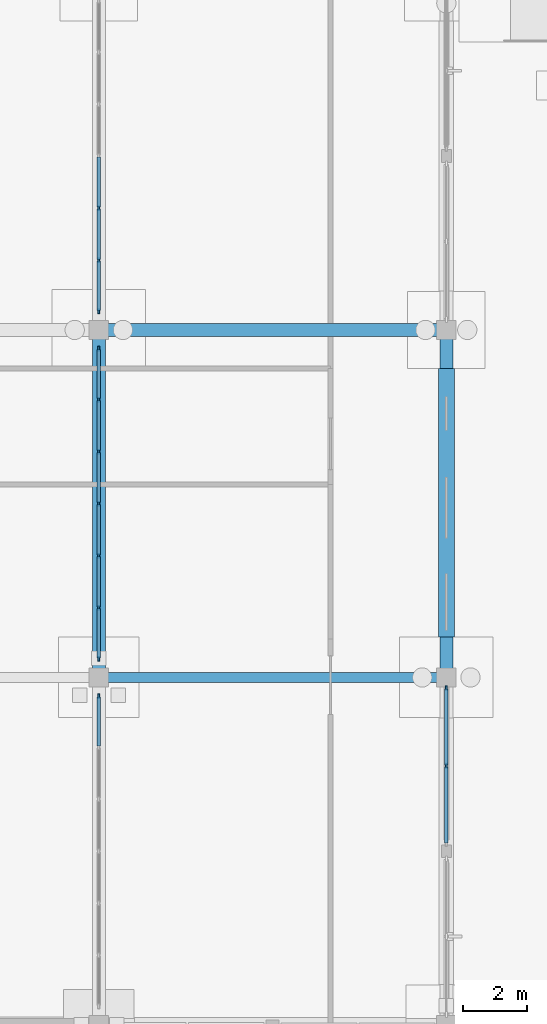
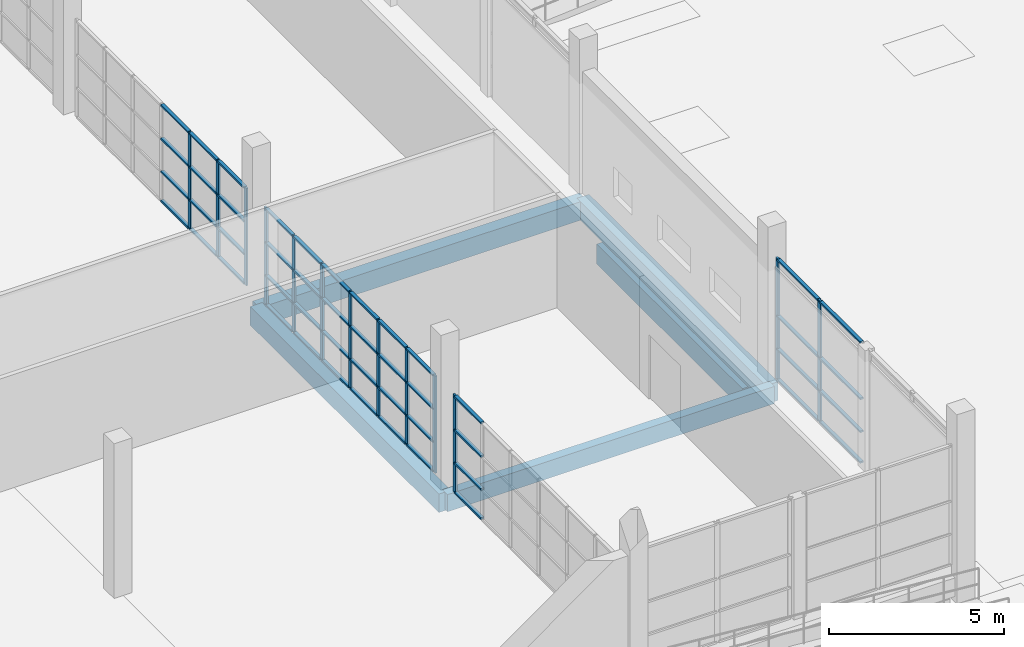
# One storey, part 20 of 138: 61 members, 5 beams, 4 elements without a shape of their own.
"""IFC4 building model written with IfcOpenShell, lengths in metres."""

from ifc_helpers import new_model, si_unit, direction, frame, origin, origin_2d, place, context, subcontext, project, spatial, rectangle, extrude, material, material_profile, profile_set, type_object, element, aggregate, save


model = new_model("IFC4")

# Units and contexts
model_context = context("Model", 3, precision=1e-05, world=origin(), true_north=direction((0.0, 1.0)))
body_context = subcontext(model_context, "Body", "Model", "MODEL_VIEW")
ifc_project = project(units=[si_unit("LENGTHUNIT", "METRE"), si_unit("AREAUNIT", "SQUARE_METRE"), si_unit("VOLUMEUNIT", "CUBIC_METRE"), si_unit("PLANEANGLEUNIT", "RADIAN"), si_unit("MASSUNIT", "GRAM", prefix="KILO")], contexts=[model_context])

# Site, building, storey
site_placement = place(None, origin())
site = spatial("IfcSite", under=ifc_project, at=site_placement, CompositionType="ELEMENT")
building_placement = place(site_placement, origin())
building = spatial("IfcBuilding", under=site, at=building_placement, Name="Zwinboog Wholesale Market", CompositionType="ELEMENT")
storey_placement = place(building_placement, origin())
storey = spatial("IfcBuildingStorey", under=building, at=storey_placement, Name="L00", CompositionType="ELEMENT", Elevation=0.0)

# Beams
ifc_material_1 = material(Name="Precast concrete C45/55", Category="concrete")
ifc_material_profile_1 = material_profile(ifc_material_1, rectangle(XDim=0.39990234375, YDim=0.64990234375, at=origin_2d()), Name="PC 400x650")
ifc_profile_set_1 = profile_set([ifc_material_profile_1], Name="Precast concrete C45/55")
beam_type_1 = type_object("IfcBeamType", Name="BT-05", PredefinedType="BEAM", material=ifc_profile_set_1)
for number, where, z_axis, x_axis, name in (
    (1, (32.39990234375, 21.60009765625, -0.675048828125), (1.0, 0.0, 0.0), (0.0, 1.0, 0.0), "BG-05 (BMG-L00-0324-0216-0032)"),
    (2, (32.39990234375, 10.800048828125, -0.675048828125), (0.0, 1.0, 0.0), (-1.0, 0.0, 0.0), "BG-05 (BMG-L00-0324-0108-0248)"),
    (3, (43.199951171875, 10.800048828125, -0.675048828125), (0.0, 1.0, 0.0), (-1.0, 0.0, 0.0), "BG-05 (BMG-L00-0432-0108-0260)"),
):
    element("IfcBeam", number, at=place(storey_placement, frame(where, z_axis=z_axis, x_axis=x_axis)), inside=storey, type_object=beam_type_1, Name=name, PredefinedType="BEAM", context=body_context, shape_type="SweptSolid", body=[
        extrude(rectangle(XDim=0.39990234375, YDim=0.64990234375, at=origin_2d()), origin(), (0.0, 0.0, 1.0), 10.800048828125),
    ])
ifc_material_profile_2 = material_profile(ifc_material_1, rectangle(XDim=0.300048828125, YDim=0.60009765625, at=origin_2d()), Name="PC 300x600")
ifc_profile_set_2 = profile_set([ifc_material_profile_2], Name="Precast concrete C45/55")
beam_type_2 = type_object("IfcBeamType", Name="BT-09", PredefinedType="SPANDREL", material=ifc_profile_set_2)
beam_1_placement = place(storey_placement, frame((32.39990234375, 10.800048828125, -0.64990234375), z_axis=(1.0, 0.0, 0.0), x_axis=(0.0, 1.0, 0.0)))
element("IfcBeam", 4, at=beam_1_placement, inside=storey, type_object=beam_type_2, Name="SP-02 (BMG-L00-0324-0108-0018)", PredefinedType="SPANDREL", context=body_context, shape_type="SweptSolid", body=[
    extrude(rectangle(XDim=0.300048828125, YDim=0.60009765625, at=origin_2d()), origin(), (0.0, 0.0, 1.0), 10.800048828125),
])
ifc_material_2 = material(Name="Concrete C35/45", Category="concrete")
ifc_material_profile_3 = material_profile(ifc_material_2, rectangle(XDim=0.5, YDim=0.699951171875, at=origin_2d()), Name="RC 500x700")
ifc_profile_set_3 = profile_set([ifc_material_profile_3], Name="Concrete C35/45")
beam_type_3 = type_object("IfcBeamType", Name="BT-12", PredefinedType="USERDEFINED", material=ifc_profile_set_3)
beam_2_placement = place(storey_placement, frame((43.199951171875, 12.054931640625, -1.550048828125), z_axis=(0.0, 1.0, 0.0), x_axis=(-1.0, 0.0, 0.0)))
element("IfcBeam", 5, at=beam_2_placement, inside=storey, type_object=beam_type_3, Name="GB-01 (BM-GB-0140)", ObjectType="GROUND_BEAM", PredefinedType="USERDEFINED", context=body_context, shape_type="SweptSolid", body=[
    extrude(rectangle(XDim=0.5, YDim=0.699951171875, at=origin_2d()), origin(), (0.0, 0.0, 1.0), 8.340087890625),
])

# Curtain wall, members
ifc_material_3 = material(Name="Aluminium thermally broken curtain wall", Category="aluminium")
curtain_wall_type_1 = type_object("IfcCurtainWallType", Name="CWT-GAL-16", PredefinedType="USERDEFINED", material=ifc_material_3)
curtain_wall_1_placement = place(storey_placement, origin())
curtain_wall_1 = element("IfcCurtainWall", 6, at=curtain_wall_1_placement, inside=storey, type_object=curtain_wall_type_1, Name="CW-04 (CW-L00-022)", ObjectType="UNITIZED_CURTAIN_WALL", PredefinedType="USERDEFINED")
ifc_material_4 = material(Name="Aluminium EN AW-6060", Category="aluminium")
ifc_material_profile_4 = material_profile(ifc_material_4, rectangle(XDim=0.06005859375, YDim=0.14990234375, at=origin_2d()), Name="AL 60x150")
ifc_profile_set_4 = profile_set([ifc_material_profile_4], Name="Aluminium EN AW-6060")
member_type_1 = type_object("IfcMemberType", Name="CWM-60x150", PredefinedType="MULLION", material=ifc_profile_set_4)
member_1_placement = place(storey_placement, frame((43.199951171875, 8.052490234375, 0.0), z_axis=(0.0, 0.0, 1.0), x_axis=(-1.0, 0.0, 0.0)))
member_1 = element("IfcMember", 7, at=member_1_placement, type_object=member_type_1, Name="CW-04 mullion 2", PredefinedType="MULLION", context=body_context, shape_type="SweptSolid", body=[
    extrude(rectangle(XDim=0.06005859375, YDim=0.14990234375, at=origin_2d()), origin(), (0.0, 0.0, 1.0), 4.25),
])
member_2_placement = place(storey_placement, frame((43.199951171875, 10.47509765625, 0.0), z_axis=(0.0, 0.0, 1.0), x_axis=(-1.0, 0.0, 0.0)))
member_2 = element("IfcMember", 8, at=member_2_placement, type_object=member_type_1, Name="CW-04 mullion 3", PredefinedType="MULLION", context=body_context, shape_type="SweptSolid", body=[
    extrude(rectangle(XDim=0.06005859375, YDim=0.14990234375, at=origin_2d()), origin(), (0.0, 0.0, 1.0), 4.25),
])
ifc_material_profile_5 = material_profile(ifc_material_4, rectangle(XDim=0.110107421875, YDim=0.06005859375, at=origin_2d()), Name="AL 60x110")
ifc_profile_set_5 = profile_set([ifc_material_profile_5], Name="Aluminium EN AW-6060")
member_type_2 = type_object("IfcMemberType", Name="CWT-60x110", PredefinedType="USERDEFINED", material=ifc_profile_set_5)
member_3_placement = place(storey_placement, frame((43.199951171875, 5.659912109375, 0.030029296875), z_axis=(0.0, 1.0, 0.0), x_axis=(-1.0, 0.0, 0.0)))
member_3 = element("IfcMember", 9, at=member_3_placement, type_object=member_type_2, Name="CW-04 transom 1.1", ObjectType="TRANSOM", PredefinedType="USERDEFINED", context=body_context, shape_type="SweptSolid", body=[
    extrude(rectangle(XDim=0.110107421875, YDim=0.06005859375, at=origin_2d()), origin(), (0.0, 0.0, 1.0), 2.362548828125),
])
member_4_placement = place(storey_placement, frame((43.199951171875, 5.659912109375, 1.10009765625), z_axis=(0.0, 1.0, 0.0), x_axis=(-1.0, 0.0, 0.0)))
member_4 = element("IfcMember", 10, at=member_4_placement, type_object=member_type_2, Name="CW-04 transom 1.2", ObjectType="TRANSOM", PredefinedType="USERDEFINED", context=body_context, shape_type="SweptSolid", body=[
    extrude(rectangle(XDim=0.110107421875, YDim=0.06005859375, at=origin_2d()), origin(), (0.0, 0.0, 1.0), 2.362548828125),
])
member_5_placement = place(storey_placement, frame((43.199951171875, 5.659912109375, 2.25), z_axis=(0.0, 1.0, 0.0), x_axis=(-1.0, 0.0, 0.0)))
member_5 = element("IfcMember", 11, at=member_5_placement, type_object=member_type_2, Name="CW-04 transom 1.3", ObjectType="TRANSOM", PredefinedType="USERDEFINED", context=body_context, shape_type="SweptSolid", body=[
    extrude(rectangle(XDim=0.110107421875, YDim=0.06005859375, at=origin_2d()), origin(), (0.0, 0.0, 1.0), 2.362548828125),
])
member_6_placement = place(storey_placement, frame((43.199951171875, 5.659912109375, 4.219970703125), z_axis=(0.0, 1.0, 0.0), x_axis=(-1.0, 0.0, 0.0)))
member_6 = element("IfcMember", 12, at=member_6_placement, type_object=member_type_2, Name="CW-04 transom 1.4", ObjectType="TRANSOM", PredefinedType="USERDEFINED", context=body_context, shape_type="SweptSolid", body=[
    extrude(rectangle(XDim=0.110107421875, YDim=0.06005859375, at=origin_2d()), origin(), (0.0, 0.0, 1.0), 2.362548828125),
])
member_7_placement = place(storey_placement, frame((43.199951171875, 8.08251953125, 0.030029296875), z_axis=(0.0, 1.0, 0.0), x_axis=(-1.0, 0.0, 0.0)))
member_7 = element("IfcMember", 13, at=member_7_placement, type_object=member_type_2, Name="CW-04 transom 2.1", ObjectType="TRANSOM", PredefinedType="USERDEFINED", context=body_context, shape_type="SweptSolid", body=[
    extrude(rectangle(XDim=0.110107421875, YDim=0.06005859375, at=origin_2d()), origin(), (0.0, 0.0, 1.0), 2.362548828125),
])
member_8_placement = place(storey_placement, frame((43.199951171875, 8.08251953125, 1.10009765625), z_axis=(0.0, 1.0, 0.0), x_axis=(-1.0, 0.0, 0.0)))
member_8 = element("IfcMember", 14, at=member_8_placement, type_object=member_type_2, Name="CW-04 transom 2.2", ObjectType="TRANSOM", PredefinedType="USERDEFINED", context=body_context, shape_type="SweptSolid", body=[
    extrude(rectangle(XDim=0.110107421875, YDim=0.06005859375, at=origin_2d()), origin(), (0.0, 0.0, 1.0), 2.362548828125),
])
member_9_placement = place(storey_placement, frame((43.199951171875, 8.08251953125, 2.25), z_axis=(0.0, 1.0, 0.0), x_axis=(-1.0, 0.0, 0.0)))
member_9 = element("IfcMember", 15, at=member_9_placement, type_object=member_type_2, Name="CW-04 transom 2.3", ObjectType="TRANSOM", PredefinedType="USERDEFINED", context=body_context, shape_type="SweptSolid", body=[
    extrude(rectangle(XDim=0.110107421875, YDim=0.06005859375, at=origin_2d()), origin(), (0.0, 0.0, 1.0), 2.362548828125),
])
member_10_placement = place(storey_placement, frame((43.199951171875, 8.08251953125, 4.219970703125), z_axis=(0.0, 1.0, 0.0), x_axis=(-1.0, 0.0, 0.0)))
member_10 = element("IfcMember", 16, at=member_10_placement, type_object=member_type_2, Name="CW-04 transom 2.4", ObjectType="TRANSOM", PredefinedType="USERDEFINED", context=body_context, shape_type="SweptSolid", body=[
    extrude(rectangle(XDim=0.110107421875, YDim=0.06005859375, at=origin_2d()), origin(), (0.0, 0.0, 1.0), 2.362548828125),
])
aggregate(curtain_wall_1, [member_1, member_2, member_3, member_4, member_5, member_6, member_7, member_8, member_9, member_10])

# Curtain wall, member
curtain_wall_type_2 = type_object("IfcCurtainWallType", Name="CWT-INT-STALL", PredefinedType="USERDEFINED", material=ifc_material_3)
curtain_wall_2_placement = place(storey_placement, origin())
curtain_wall_2 = element("IfcCurtainWall", 17, at=curtain_wall_2_placement, inside=storey, type_object=curtain_wall_type_2, Name="CW-07 (CW-STL-217)", ObjectType="STOREFRONT_GLAZING", PredefinedType="USERDEFINED")
ifc_material_profile_6 = material_profile(ifc_material_4, rectangle(XDim=0.06005859375, YDim=0.14990234375, at=origin_2d()), Name="AL 60x150")
ifc_profile_set_6 = profile_set([ifc_material_profile_6], Name="Aluminium EN AW-6060")
member_type_3 = type_object("IfcMemberType", Name="CWM-INT-60x120", PredefinedType="MULLION", material=ifc_profile_set_6)
member_11_placement = place(storey_placement, frame((32.39990234375, 10.219970703125, 0.0), z_axis=(0.0, 0.0, 1.0), x_axis=(-1.0, 0.0, 0.0)))
member_11 = element("IfcMember", 18, at=member_11_placement, type_object=member_type_3, Name="CW-07 mullion 7", PredefinedType="MULLION", context=body_context, shape_type="SweptSolid", body=[
    extrude(rectangle(XDim=0.06005859375, YDim=0.14990234375, at=origin_2d()), origin(), (0.0, 0.0, 1.0), 3.39990234375),
])

# Curtain wall, members
curtain_wall_3_placement = place(storey_placement, origin())
curtain_wall_3 = element("IfcCurtainWall", 19, at=curtain_wall_3_placement, inside=storey, type_object=curtain_wall_type_2, Name="CW-07 (CW-STL-218)", ObjectType="STOREFRONT_GLAZING", PredefinedType="USERDEFINED")
member_12_placement = place(storey_placement, frame((32.39990234375, 11.3798828125, 0.0), z_axis=(0.0, 0.0, 1.0), x_axis=(-1.0, 0.0, 0.0)))
member_12 = element("IfcMember", 20, at=member_12_placement, type_object=member_type_3, Name="CW-07 mullion 1", PredefinedType="MULLION", context=body_context, shape_type="SweptSolid", body=[
    extrude(rectangle(XDim=0.06005859375, YDim=0.14990234375, at=origin_2d()), origin(), (0.0, 0.0, 1.0), 3.39990234375),
])
member_13_placement = place(storey_placement, frame((32.39990234375, 12.966552734375, 0.0), z_axis=(0.0, 0.0, 1.0), x_axis=(-1.0, 0.0, 0.0)))
member_13 = element("IfcMember", 21, at=member_13_placement, type_object=member_type_3, Name="CW-07 mullion 2", PredefinedType="MULLION", context=body_context, shape_type="SweptSolid", body=[
    extrude(rectangle(XDim=0.06005859375, YDim=0.14990234375, at=origin_2d()), origin(), (0.0, 0.0, 1.0), 3.39990234375),
])
member_14_placement = place(storey_placement, frame((32.39990234375, 14.583251953125, 0.0), z_axis=(0.0, 0.0, 1.0), x_axis=(-1.0, 0.0, 0.0)))
member_14 = element("IfcMember", 22, at=member_14_placement, type_object=member_type_3, Name="CW-07 mullion 3", PredefinedType="MULLION", context=body_context, shape_type="SweptSolid", body=[
    extrude(rectangle(XDim=0.06005859375, YDim=0.14990234375, at=origin_2d()), origin(), (0.0, 0.0, 1.0), 3.39990234375),
])
member_15_placement = place(storey_placement, frame((32.39990234375, 16.199951171875, 0.0), z_axis=(0.0, 0.0, 1.0), x_axis=(-1.0, 0.0, 0.0)))
member_15 = element("IfcMember", 23, at=member_15_placement, type_object=member_type_3, Name="CW-07 mullion 4", PredefinedType="MULLION", context=body_context, shape_type="SweptSolid", body=[
    extrude(rectangle(XDim=0.06005859375, YDim=0.14990234375, at=origin_2d()), origin(), (0.0, 0.0, 1.0), 3.39990234375),
])
member_16_placement = place(storey_placement, frame((32.39990234375, 17.816650390625, 0.0), z_axis=(0.0, 0.0, 1.0), x_axis=(-1.0, 0.0, 0.0)))
member_16 = element("IfcMember", 24, at=member_16_placement, type_object=member_type_3, Name="CW-07 mullion 5", PredefinedType="MULLION", context=body_context, shape_type="SweptSolid", body=[
    extrude(rectangle(XDim=0.06005859375, YDim=0.14990234375, at=origin_2d()), origin(), (0.0, 0.0, 1.0), 3.39990234375),
])
member_17_placement = place(storey_placement, frame((32.39990234375, 19.433349609375, 0.0), z_axis=(0.0, 0.0, 1.0), x_axis=(-1.0, 0.0, 0.0)))
member_17 = element("IfcMember", 25, at=member_17_placement, type_object=member_type_3, Name="CW-07 mullion 6", PredefinedType="MULLION", context=body_context, shape_type="SweptSolid", body=[
    extrude(rectangle(XDim=0.06005859375, YDim=0.14990234375, at=origin_2d()), origin(), (0.0, 0.0, 1.0), 3.39990234375),
])
member_18_placement = place(storey_placement, frame((32.39990234375, 21.02001953125, 0.0), z_axis=(0.0, 0.0, 1.0), x_axis=(-1.0, 0.0, 0.0)))
member_18 = element("IfcMember", 26, at=member_18_placement, type_object=member_type_3, Name="CW-07 mullion 7", PredefinedType="MULLION", context=body_context, shape_type="SweptSolid", body=[
    extrude(rectangle(XDim=0.06005859375, YDim=0.14990234375, at=origin_2d()), origin(), (0.0, 0.0, 1.0), 3.39990234375),
])

curtain_wall_4_placement = place(storey_placement, origin())
curtain_wall_4 = element("IfcCurtainWall", 27, at=curtain_wall_4_placement, inside=storey, type_object=curtain_wall_type_2, Name="CW-07 (CW-STL-219)", ObjectType="STOREFRONT_GLAZING", PredefinedType="USERDEFINED")
member_19_placement = place(storey_placement, frame((32.39990234375, 22.179931640625, 0.0), z_axis=(0.0, 0.0, 1.0), x_axis=(-1.0, 0.0, 0.0)))
member_19 = element("IfcMember", 28, at=member_19_placement, type_object=member_type_3, Name="CW-07 mullion 1", PredefinedType="MULLION", context=body_context, shape_type="SweptSolid", body=[
    extrude(rectangle(XDim=0.06005859375, YDim=0.14990234375, at=origin_2d()), origin(), (0.0, 0.0, 1.0), 3.39990234375),
])
member_20_placement = place(storey_placement, frame((32.39990234375, 23.7666015625, 0.0), z_axis=(0.0, 0.0, 1.0), x_axis=(-1.0, 0.0, 0.0)))
member_20 = element("IfcMember", 29, at=member_20_placement, type_object=member_type_3, Name="CW-07 mullion 2", PredefinedType="MULLION", context=body_context, shape_type="SweptSolid", body=[
    extrude(rectangle(XDim=0.06005859375, YDim=0.14990234375, at=origin_2d()), origin(), (0.0, 0.0, 1.0), 3.39990234375),
])
member_21_placement = place(storey_placement, frame((32.39990234375, 25.38330078125, 0.0), z_axis=(0.0, 0.0, 1.0), x_axis=(-1.0, 0.0, 0.0)))
member_21 = element("IfcMember", 30, at=member_21_placement, type_object=member_type_3, Name="CW-07 mullion 3", PredefinedType="MULLION", context=body_context, shape_type="SweptSolid", body=[
    extrude(rectangle(XDim=0.06005859375, YDim=0.14990234375, at=origin_2d()), origin(), (0.0, 0.0, 1.0), 3.39990234375),
])

# Member
ifc_material_profile_7 = material_profile(ifc_material_4, rectangle(XDim=0.110107421875, YDim=0.06005859375, at=origin_2d()), Name="AL 60x110")
ifc_profile_set_7 = profile_set([ifc_material_profile_7], Name="Aluminium EN AW-6060")
member_type_4 = type_object("IfcMemberType", Name="CWT-INT-60x100", PredefinedType="USERDEFINED", material=ifc_profile_set_7)
member_22_placement = place(storey_placement, frame((32.39990234375, 8.663330078125, 0.030029296875), z_axis=(0.0, 1.0, 0.0), x_axis=(-1.0, 0.0, 0.0)))
member_22 = element("IfcMember", 31, at=member_22_placement, type_object=member_type_4, Name="CW-07 transom 6.1", ObjectType="TRANSOM", PredefinedType="USERDEFINED", context=body_context, shape_type="SweptSolid", body=[
    extrude(rectangle(XDim=0.110107421875, YDim=0.06005859375, at=origin_2d()), origin(), (0.0, 0.0, 1.0), 1.526611328125),
])

member_23_placement = place(storey_placement, frame((32.39990234375, 8.663330078125, 1.050048828125), z_axis=(0.0, 1.0, 0.0), x_axis=(-1.0, 0.0, 0.0)))
member_23 = element("IfcMember", 32, at=member_23_placement, type_object=member_type_4, Name="CW-07 transom 6.2", ObjectType="TRANSOM", PredefinedType="USERDEFINED", context=body_context, shape_type="SweptSolid", body=[
    extrude(rectangle(XDim=0.110107421875, YDim=0.06005859375, at=origin_2d()), origin(), (0.0, 0.0, 1.0), 1.526611328125),
])

member_24_placement = place(storey_placement, frame((32.39990234375, 8.663330078125, 2.199951171875), z_axis=(0.0, 1.0, 0.0), x_axis=(-1.0, 0.0, 0.0)))
member_24 = element("IfcMember", 33, at=member_24_placement, type_object=member_type_4, Name="CW-07 transom 6.3", ObjectType="TRANSOM", PredefinedType="USERDEFINED", context=body_context, shape_type="SweptSolid", body=[
    extrude(rectangle(XDim=0.110107421875, YDim=0.06005859375, at=origin_2d()), origin(), (0.0, 0.0, 1.0), 1.526611328125),
])

member_25_placement = place(storey_placement, frame((32.39990234375, 8.663330078125, 3.3701171875), z_axis=(0.0, 1.0, 0.0), x_axis=(-1.0, 0.0, 0.0)))
member_25 = element("IfcMember", 34, at=member_25_placement, type_object=member_type_4, Name="CW-07 transom 6.4", ObjectType="TRANSOM", PredefinedType="USERDEFINED", context=body_context, shape_type="SweptSolid", body=[
    extrude(rectangle(XDim=0.110107421875, YDim=0.06005859375, at=origin_2d()), origin(), (0.0, 0.0, 1.0), 1.526611328125),
])

aggregate(curtain_wall_2, [member_11, member_22, member_23, member_24, member_25])

member_26_placement = place(storey_placement, frame((32.39990234375, 11.409912109375, 0.030029296875), z_axis=(0.0, 1.0, 0.0), x_axis=(-1.0, 0.0, 0.0)))
member_26 = element("IfcMember", 35, at=member_26_placement, type_object=member_type_4, Name="CW-07 transom 1.1", ObjectType="TRANSOM", PredefinedType="USERDEFINED", context=body_context, shape_type="SweptSolid", body=[
    extrude(rectangle(XDim=0.110107421875, YDim=0.06005859375, at=origin_2d()), origin(), (0.0, 0.0, 1.0), 1.52685546875),
])

member_27_placement = place(storey_placement, frame((32.39990234375, 11.409912109375, 1.050048828125), z_axis=(0.0, 1.0, 0.0), x_axis=(-1.0, 0.0, 0.0)))
member_27 = element("IfcMember", 36, at=member_27_placement, type_object=member_type_4, Name="CW-07 transom 1.2", ObjectType="TRANSOM", PredefinedType="USERDEFINED", context=body_context, shape_type="SweptSolid", body=[
    extrude(rectangle(XDim=0.110107421875, YDim=0.06005859375, at=origin_2d()), origin(), (0.0, 0.0, 1.0), 1.52685546875),
])

member_28_placement = place(storey_placement, frame((32.39990234375, 11.409912109375, 2.199951171875), z_axis=(0.0, 1.0, 0.0), x_axis=(-1.0, 0.0, 0.0)))
member_28 = element("IfcMember", 37, at=member_28_placement, type_object=member_type_4, Name="CW-07 transom 1.3", ObjectType="TRANSOM", PredefinedType="USERDEFINED", context=body_context, shape_type="SweptSolid", body=[
    extrude(rectangle(XDim=0.110107421875, YDim=0.06005859375, at=origin_2d()), origin(), (0.0, 0.0, 1.0), 1.52685546875),
])

member_29_placement = place(storey_placement, frame((32.39990234375, 11.409912109375, 3.3701171875), z_axis=(0.0, 1.0, 0.0), x_axis=(-1.0, 0.0, 0.0)))
member_29 = element("IfcMember", 38, at=member_29_placement, type_object=member_type_4, Name="CW-07 transom 1.4", ObjectType="TRANSOM", PredefinedType="USERDEFINED", context=body_context, shape_type="SweptSolid", body=[
    extrude(rectangle(XDim=0.110107421875, YDim=0.06005859375, at=origin_2d()), origin(), (0.0, 0.0, 1.0), 1.52685546875),
])

member_30_placement = place(storey_placement, frame((32.39990234375, 12.99658203125, 0.030029296875), z_axis=(0.0, 1.0, 0.0), x_axis=(-1.0, 0.0, 0.0)))
member_30 = element("IfcMember", 39, at=member_30_placement, type_object=member_type_4, Name="CW-07 transom 2.1", ObjectType="TRANSOM", PredefinedType="USERDEFINED", context=body_context, shape_type="SweptSolid", body=[
    extrude(rectangle(XDim=0.110107421875, YDim=0.06005859375, at=origin_2d()), origin(), (0.0, 0.0, 1.0), 1.556640625),
])

member_31_placement = place(storey_placement, frame((32.39990234375, 12.99658203125, 1.050048828125), z_axis=(0.0, 1.0, 0.0), x_axis=(-1.0, 0.0, 0.0)))
member_31 = element("IfcMember", 40, at=member_31_placement, type_object=member_type_4, Name="CW-07 transom 2.2", ObjectType="TRANSOM", PredefinedType="USERDEFINED", context=body_context, shape_type="SweptSolid", body=[
    extrude(rectangle(XDim=0.110107421875, YDim=0.06005859375, at=origin_2d()), origin(), (0.0, 0.0, 1.0), 1.556640625),
])

member_32_placement = place(storey_placement, frame((32.39990234375, 12.99658203125, 2.199951171875), z_axis=(0.0, 1.0, 0.0), x_axis=(-1.0, 0.0, 0.0)))
member_32 = element("IfcMember", 41, at=member_32_placement, type_object=member_type_4, Name="CW-07 transom 2.3", ObjectType="TRANSOM", PredefinedType="USERDEFINED", context=body_context, shape_type="SweptSolid", body=[
    extrude(rectangle(XDim=0.110107421875, YDim=0.06005859375, at=origin_2d()), origin(), (0.0, 0.0, 1.0), 1.556640625),
])

member_33_placement = place(storey_placement, frame((32.39990234375, 12.99658203125, 3.3701171875), z_axis=(0.0, 1.0, 0.0), x_axis=(-1.0, 0.0, 0.0)))
member_33 = element("IfcMember", 42, at=member_33_placement, type_object=member_type_4, Name="CW-07 transom 2.4", ObjectType="TRANSOM", PredefinedType="USERDEFINED", context=body_context, shape_type="SweptSolid", body=[
    extrude(rectangle(XDim=0.110107421875, YDim=0.06005859375, at=origin_2d()), origin(), (0.0, 0.0, 1.0), 1.556640625),
])

member_34_placement = place(storey_placement, frame((32.39990234375, 14.61328125, 0.030029296875), z_axis=(0.0, 1.0, 0.0), x_axis=(-1.0, 0.0, 0.0)))
member_34 = element("IfcMember", 43, at=member_34_placement, type_object=member_type_4, Name="CW-07 transom 3.1", ObjectType="TRANSOM", PredefinedType="USERDEFINED", context=body_context, shape_type="SweptSolid", body=[
    extrude(rectangle(XDim=0.110107421875, YDim=0.06005859375, at=origin_2d()), origin(), (0.0, 0.0, 1.0), 1.556640625),
])

member_35_placement = place(storey_placement, frame((32.39990234375, 14.61328125, 1.050048828125), z_axis=(0.0, 1.0, 0.0), x_axis=(-1.0, 0.0, 0.0)))
member_35 = element("IfcMember", 44, at=member_35_placement, type_object=member_type_4, Name="CW-07 transom 3.2", ObjectType="TRANSOM", PredefinedType="USERDEFINED", context=body_context, shape_type="SweptSolid", body=[
    extrude(rectangle(XDim=0.110107421875, YDim=0.06005859375, at=origin_2d()), origin(), (0.0, 0.0, 1.0), 1.556640625),
])

member_36_placement = place(storey_placement, frame((32.39990234375, 14.61328125, 2.199951171875), z_axis=(0.0, 1.0, 0.0), x_axis=(-1.0, 0.0, 0.0)))
member_36 = element("IfcMember", 45, at=member_36_placement, type_object=member_type_4, Name="CW-07 transom 3.3", ObjectType="TRANSOM", PredefinedType="USERDEFINED", context=body_context, shape_type="SweptSolid", body=[
    extrude(rectangle(XDim=0.110107421875, YDim=0.06005859375, at=origin_2d()), origin(), (0.0, 0.0, 1.0), 1.556640625),
])

member_37_placement = place(storey_placement, frame((32.39990234375, 14.61328125, 3.3701171875), z_axis=(0.0, 1.0, 0.0), x_axis=(-1.0, 0.0, 0.0)))
member_37 = element("IfcMember", 46, at=member_37_placement, type_object=member_type_4, Name="CW-07 transom 3.4", ObjectType="TRANSOM", PredefinedType="USERDEFINED", context=body_context, shape_type="SweptSolid", body=[
    extrude(rectangle(XDim=0.110107421875, YDim=0.06005859375, at=origin_2d()), origin(), (0.0, 0.0, 1.0), 1.556640625),
])

member_38_placement = place(storey_placement, frame((32.39990234375, 16.22998046875, 0.030029296875), z_axis=(0.0, 1.0, 0.0), x_axis=(-1.0, 0.0, 0.0)))
member_38 = element("IfcMember", 47, at=member_38_placement, type_object=member_type_4, Name="CW-07 transom 4.1", ObjectType="TRANSOM", PredefinedType="USERDEFINED", context=body_context, shape_type="SweptSolid", body=[
    extrude(rectangle(XDim=0.110107421875, YDim=0.06005859375, at=origin_2d()), origin(), (0.0, 0.0, 1.0), 1.556640625),
])

member_39_placement = place(storey_placement, frame((32.39990234375, 16.22998046875, 1.050048828125), z_axis=(0.0, 1.0, 0.0), x_axis=(-1.0, 0.0, 0.0)))
member_39 = element("IfcMember", 48, at=member_39_placement, type_object=member_type_4, Name="CW-07 transom 4.2", ObjectType="TRANSOM", PredefinedType="USERDEFINED", context=body_context, shape_type="SweptSolid", body=[
    extrude(rectangle(XDim=0.110107421875, YDim=0.06005859375, at=origin_2d()), origin(), (0.0, 0.0, 1.0), 1.556640625),
])

member_40_placement = place(storey_placement, frame((32.39990234375, 16.22998046875, 2.199951171875), z_axis=(0.0, 1.0, 0.0), x_axis=(-1.0, 0.0, 0.0)))
member_40 = element("IfcMember", 49, at=member_40_placement, type_object=member_type_4, Name="CW-07 transom 4.3", ObjectType="TRANSOM", PredefinedType="USERDEFINED", context=body_context, shape_type="SweptSolid", body=[
    extrude(rectangle(XDim=0.110107421875, YDim=0.06005859375, at=origin_2d()), origin(), (0.0, 0.0, 1.0), 1.556640625),
])

member_41_placement = place(storey_placement, frame((32.39990234375, 16.22998046875, 3.3701171875), z_axis=(0.0, 1.0, 0.0), x_axis=(-1.0, 0.0, 0.0)))
member_41 = element("IfcMember", 50, at=member_41_placement, type_object=member_type_4, Name="CW-07 transom 4.4", ObjectType="TRANSOM", PredefinedType="USERDEFINED", context=body_context, shape_type="SweptSolid", body=[
    extrude(rectangle(XDim=0.110107421875, YDim=0.06005859375, at=origin_2d()), origin(), (0.0, 0.0, 1.0), 1.556640625),
])

member_42_placement = place(storey_placement, frame((32.39990234375, 17.8466796875, 0.030029296875), z_axis=(0.0, 1.0, 0.0), x_axis=(-1.0, 0.0, 0.0)))
member_42 = element("IfcMember", 51, at=member_42_placement, type_object=member_type_4, Name="CW-07 transom 5.1", ObjectType="TRANSOM", PredefinedType="USERDEFINED", context=body_context, shape_type="SweptSolid", body=[
    extrude(rectangle(XDim=0.110107421875, YDim=0.06005859375, at=origin_2d()), origin(), (0.0, 0.0, 1.0), 1.556640625),
])

member_43_placement = place(storey_placement, frame((32.39990234375, 17.8466796875, 1.050048828125), z_axis=(0.0, 1.0, 0.0), x_axis=(-1.0, 0.0, 0.0)))
member_43 = element("IfcMember", 52, at=member_43_placement, type_object=member_type_4, Name="CW-07 transom 5.2", ObjectType="TRANSOM", PredefinedType="USERDEFINED", context=body_context, shape_type="SweptSolid", body=[
    extrude(rectangle(XDim=0.110107421875, YDim=0.06005859375, at=origin_2d()), origin(), (0.0, 0.0, 1.0), 1.556640625),
])

member_44_placement = place(storey_placement, frame((32.39990234375, 17.8466796875, 2.199951171875), z_axis=(0.0, 1.0, 0.0), x_axis=(-1.0, 0.0, 0.0)))
member_44 = element("IfcMember", 53, at=member_44_placement, type_object=member_type_4, Name="CW-07 transom 5.3", ObjectType="TRANSOM", PredefinedType="USERDEFINED", context=body_context, shape_type="SweptSolid", body=[
    extrude(rectangle(XDim=0.110107421875, YDim=0.06005859375, at=origin_2d()), origin(), (0.0, 0.0, 1.0), 1.556640625),
])

member_45_placement = place(storey_placement, frame((32.39990234375, 17.8466796875, 3.3701171875), z_axis=(0.0, 1.0, 0.0), x_axis=(-1.0, 0.0, 0.0)))
member_45 = element("IfcMember", 54, at=member_45_placement, type_object=member_type_4, Name="CW-07 transom 5.4", ObjectType="TRANSOM", PredefinedType="USERDEFINED", context=body_context, shape_type="SweptSolid", body=[
    extrude(rectangle(XDim=0.110107421875, YDim=0.06005859375, at=origin_2d()), origin(), (0.0, 0.0, 1.0), 1.556640625),
])

member_46_placement = place(storey_placement, frame((32.39990234375, 19.46337890625, 0.030029296875), z_axis=(0.0, 1.0, 0.0), x_axis=(-1.0, 0.0, 0.0)))
member_46 = element("IfcMember", 55, at=member_46_placement, type_object=member_type_4, Name="CW-07 transom 6.1", ObjectType="TRANSOM", PredefinedType="USERDEFINED", context=body_context, shape_type="SweptSolid", body=[
    extrude(rectangle(XDim=0.110107421875, YDim=0.06005859375, at=origin_2d()), origin(), (0.0, 0.0, 1.0), 1.526611328125),
])

member_47_placement = place(storey_placement, frame((32.39990234375, 19.46337890625, 1.050048828125), z_axis=(0.0, 1.0, 0.0), x_axis=(-1.0, 0.0, 0.0)))
member_47 = element("IfcMember", 56, at=member_47_placement, type_object=member_type_4, Name="CW-07 transom 6.2", ObjectType="TRANSOM", PredefinedType="USERDEFINED", context=body_context, shape_type="SweptSolid", body=[
    extrude(rectangle(XDim=0.110107421875, YDim=0.06005859375, at=origin_2d()), origin(), (0.0, 0.0, 1.0), 1.526611328125),
])

member_48_placement = place(storey_placement, frame((32.39990234375, 19.46337890625, 2.199951171875), z_axis=(0.0, 1.0, 0.0), x_axis=(-1.0, 0.0, 0.0)))
member_48 = element("IfcMember", 57, at=member_48_placement, type_object=member_type_4, Name="CW-07 transom 6.3", ObjectType="TRANSOM", PredefinedType="USERDEFINED", context=body_context, shape_type="SweptSolid", body=[
    extrude(rectangle(XDim=0.110107421875, YDim=0.06005859375, at=origin_2d()), origin(), (0.0, 0.0, 1.0), 1.526611328125),
])

member_49_placement = place(storey_placement, frame((32.39990234375, 19.46337890625, 3.3701171875), z_axis=(0.0, 1.0, 0.0), x_axis=(-1.0, 0.0, 0.0)))
member_49 = element("IfcMember", 58, at=member_49_placement, type_object=member_type_4, Name="CW-07 transom 6.4", ObjectType="TRANSOM", PredefinedType="USERDEFINED", context=body_context, shape_type="SweptSolid", body=[
    extrude(rectangle(XDim=0.110107421875, YDim=0.06005859375, at=origin_2d()), origin(), (0.0, 0.0, 1.0), 1.526611328125),
])

aggregate(curtain_wall_3, [member_12, member_13, member_14, member_15, member_16, member_17, member_18, member_26, member_27, member_28, member_29, member_30, member_31, member_32, member_33, member_34, member_35, member_36, member_37, member_38, member_39, member_40, member_41, member_42, member_43, member_44, member_45, member_46, member_47, member_48, member_49])

member_50_placement = place(storey_placement, frame((32.39990234375, 22.2099609375, 0.030029296875), z_axis=(0.0, 1.0, 0.0), x_axis=(-1.0, 0.0, 0.0)))
member_50 = element("IfcMember", 59, at=member_50_placement, type_object=member_type_4, Name="CW-07 transom 1.1", ObjectType="TRANSOM", PredefinedType="USERDEFINED", context=body_context, shape_type="SweptSolid", body=[
    extrude(rectangle(XDim=0.110107421875, YDim=0.06005859375, at=origin_2d()), origin(), (0.0, 0.0, 1.0), 1.526611328125),
])

member_51_placement = place(storey_placement, frame((32.39990234375, 22.2099609375, 1.050048828125), z_axis=(0.0, 1.0, 0.0), x_axis=(-1.0, 0.0, 0.0)))
member_51 = element("IfcMember", 60, at=member_51_placement, type_object=member_type_4, Name="CW-07 transom 1.2", ObjectType="TRANSOM", PredefinedType="USERDEFINED", context=body_context, shape_type="SweptSolid", body=[
    extrude(rectangle(XDim=0.110107421875, YDim=0.06005859375, at=origin_2d()), origin(), (0.0, 0.0, 1.0), 1.526611328125),
])

member_52_placement = place(storey_placement, frame((32.39990234375, 22.2099609375, 2.199951171875), z_axis=(0.0, 1.0, 0.0), x_axis=(-1.0, 0.0, 0.0)))
member_52 = element("IfcMember", 61, at=member_52_placement, type_object=member_type_4, Name="CW-07 transom 1.3", ObjectType="TRANSOM", PredefinedType="USERDEFINED", context=body_context, shape_type="SweptSolid", body=[
    extrude(rectangle(XDim=0.110107421875, YDim=0.06005859375, at=origin_2d()), origin(), (0.0, 0.0, 1.0), 1.526611328125),
])

member_53_placement = place(storey_placement, frame((32.39990234375, 22.2099609375, 3.3701171875), z_axis=(0.0, 1.0, 0.0), x_axis=(-1.0, 0.0, 0.0)))
member_53 = element("IfcMember", 62, at=member_53_placement, type_object=member_type_4, Name="CW-07 transom 1.4", ObjectType="TRANSOM", PredefinedType="USERDEFINED", context=body_context, shape_type="SweptSolid", body=[
    extrude(rectangle(XDim=0.110107421875, YDim=0.06005859375, at=origin_2d()), origin(), (0.0, 0.0, 1.0), 1.526611328125),
])

member_54_placement = place(storey_placement, frame((32.39990234375, 23.796630859375, 0.030029296875), z_axis=(0.0, 1.0, 0.0), x_axis=(-1.0, 0.0, 0.0)))
member_54 = element("IfcMember", 63, at=member_54_placement, type_object=member_type_4, Name="CW-07 transom 2.1", ObjectType="TRANSOM", PredefinedType="USERDEFINED", context=body_context, shape_type="SweptSolid", body=[
    extrude(rectangle(XDim=0.110107421875, YDim=0.06005859375, at=origin_2d()), origin(), (0.0, 0.0, 1.0), 1.556640625),
])

member_55_placement = place(storey_placement, frame((32.39990234375, 23.796630859375, 1.050048828125), z_axis=(0.0, 1.0, 0.0), x_axis=(-1.0, 0.0, 0.0)))
member_55 = element("IfcMember", 64, at=member_55_placement, type_object=member_type_4, Name="CW-07 transom 2.2", ObjectType="TRANSOM", PredefinedType="USERDEFINED", context=body_context, shape_type="SweptSolid", body=[
    extrude(rectangle(XDim=0.110107421875, YDim=0.06005859375, at=origin_2d()), origin(), (0.0, 0.0, 1.0), 1.556640625),
])

member_56_placement = place(storey_placement, frame((32.39990234375, 23.796630859375, 2.199951171875), z_axis=(0.0, 1.0, 0.0), x_axis=(-1.0, 0.0, 0.0)))
member_56 = element("IfcMember", 65, at=member_56_placement, type_object=member_type_4, Name="CW-07 transom 2.3", ObjectType="TRANSOM", PredefinedType="USERDEFINED", context=body_context, shape_type="SweptSolid", body=[
    extrude(rectangle(XDim=0.110107421875, YDim=0.06005859375, at=origin_2d()), origin(), (0.0, 0.0, 1.0), 1.556640625),
])

member_57_placement = place(storey_placement, frame((32.39990234375, 23.796630859375, 3.3701171875), z_axis=(0.0, 1.0, 0.0), x_axis=(-1.0, 0.0, 0.0)))
member_57 = element("IfcMember", 66, at=member_57_placement, type_object=member_type_4, Name="CW-07 transom 2.4", ObjectType="TRANSOM", PredefinedType="USERDEFINED", context=body_context, shape_type="SweptSolid", body=[
    extrude(rectangle(XDim=0.110107421875, YDim=0.06005859375, at=origin_2d()), origin(), (0.0, 0.0, 1.0), 1.556640625),
])

member_58_placement = place(storey_placement, frame((32.39990234375, 25.413330078125, 0.030029296875), z_axis=(0.0, 1.0, 0.0), x_axis=(-1.0, 0.0, 0.0)))
member_58 = element("IfcMember", 67, at=member_58_placement, type_object=member_type_4, Name="CW-07 transom 3.1", ObjectType="TRANSOM", PredefinedType="USERDEFINED", context=body_context, shape_type="SweptSolid", body=[
    extrude(rectangle(XDim=0.110107421875, YDim=0.06005859375, at=origin_2d()), origin(), (0.0, 0.0, 1.0), 1.556640625),
])

member_59_placement = place(storey_placement, frame((32.39990234375, 25.413330078125, 1.050048828125), z_axis=(0.0, 1.0, 0.0), x_axis=(-1.0, 0.0, 0.0)))
member_59 = element("IfcMember", 68, at=member_59_placement, type_object=member_type_4, Name="CW-07 transom 3.2", ObjectType="TRANSOM", PredefinedType="USERDEFINED", context=body_context, shape_type="SweptSolid", body=[
    extrude(rectangle(XDim=0.110107421875, YDim=0.06005859375, at=origin_2d()), origin(), (0.0, 0.0, 1.0), 1.556640625),
])

member_60_placement = place(storey_placement, frame((32.39990234375, 25.413330078125, 2.199951171875), z_axis=(0.0, 1.0, 0.0), x_axis=(-1.0, 0.0, 0.0)))
member_60 = element("IfcMember", 69, at=member_60_placement, type_object=member_type_4, Name="CW-07 transom 3.3", ObjectType="TRANSOM", PredefinedType="USERDEFINED", context=body_context, shape_type="SweptSolid", body=[
    extrude(rectangle(XDim=0.110107421875, YDim=0.06005859375, at=origin_2d()), origin(), (0.0, 0.0, 1.0), 1.556640625),
])

member_61_placement = place(storey_placement, frame((32.39990234375, 25.413330078125, 3.3701171875), z_axis=(0.0, 1.0, 0.0), x_axis=(-1.0, 0.0, 0.0)))
member_61 = element("IfcMember", 70, at=member_61_placement, type_object=member_type_4, Name="CW-07 transom 3.4", ObjectType="TRANSOM", PredefinedType="USERDEFINED", context=body_context, shape_type="SweptSolid", body=[
    extrude(rectangle(XDim=0.110107421875, YDim=0.06005859375, at=origin_2d()), origin(), (0.0, 0.0, 1.0), 1.556640625),
])

aggregate(curtain_wall_4, [member_19, member_20, member_21, member_50, member_51, member_52, member_53, member_54, member_55, member_56, member_57, member_58, member_59, member_60, member_61])

save(model, "model.ifc")
